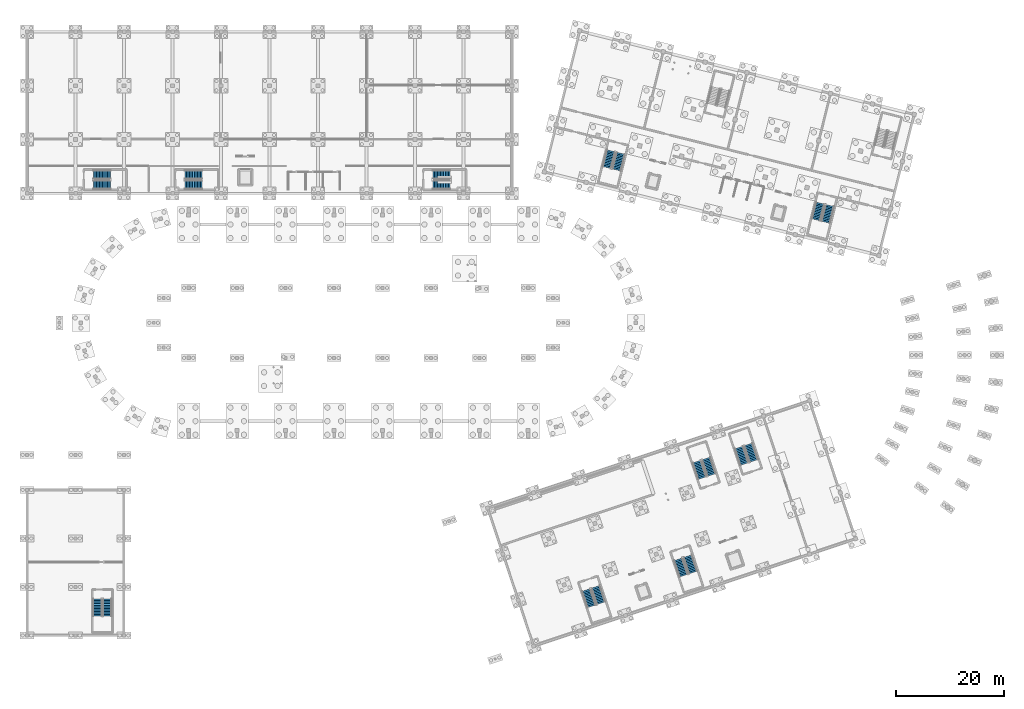
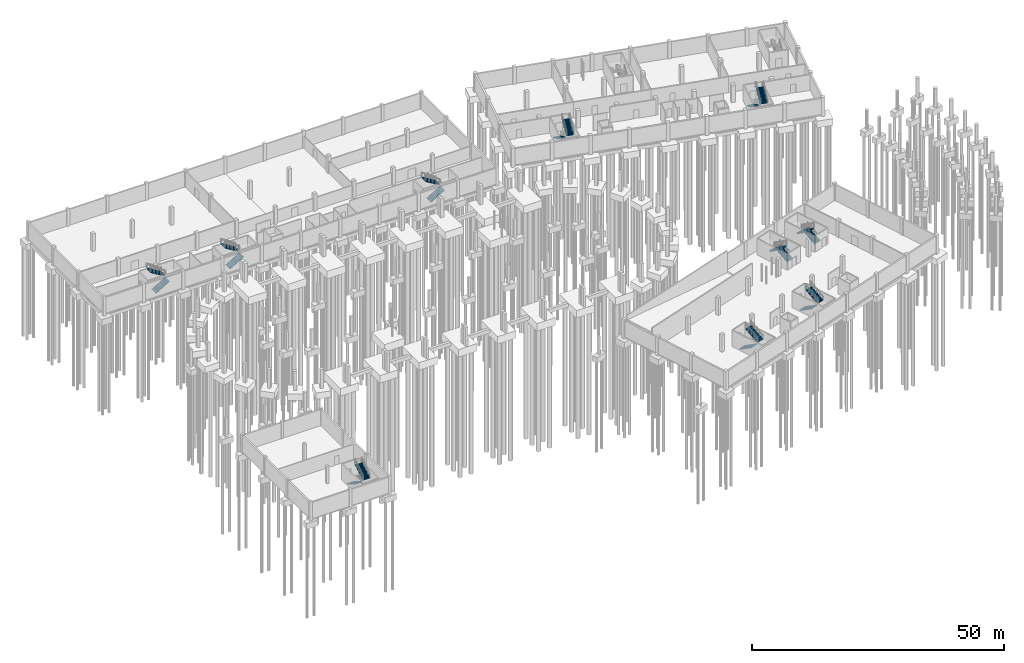
# One storey, part 26 of 36: 20 stair flights, 10 elements without a shape of their own.
"""IFC4 building model written with IfcOpenShell, lengths in metres."""

from ifc_helpers import new_model, si_unit, derived_unit, direction, frame, origin, place, context, subcontext, project, spatial, polyline, outline, extrude, material, type_object, element, aggregate, save


model = new_model("IFC4")

# Units and contexts
model_context = context("Model", 3, precision=1e-05, world=origin(), true_north=direction((0.0, 1.0)))
body_context = subcontext(model_context, "Body", "Model", "MODEL_VIEW")
ifc_project = project(units=[si_unit("LENGTHUNIT", "METRE"), si_unit("AREAUNIT", "SQUARE_METRE"), si_unit("VOLUMEUNIT", "CUBIC_METRE"), si_unit("PLANEANGLEUNIT", "RADIAN"), si_unit("MASSUNIT", "GRAM", prefix="KILO"), si_unit("THERMODYNAMICTEMPERATUREUNIT", "KELVIN"), si_unit("TIMEUNIT", "SECOND"), derived_unit("THERMALTRANSMITTANCEUNIT", [(si_unit("MASSUNIT", "GRAM", prefix="KILO"), 1), (si_unit("THERMODYNAMICTEMPERATUREUNIT", "KELVIN"), -1), (si_unit("TIMEUNIT", "SECOND"), -3)])], contexts=[model_context])

# Site, building, storey
site_placement = place(None, origin())
site = spatial("IfcSite", under=ifc_project, at=site_placement, CompositionType="ELEMENT")
building_placement = place(site_placement, origin())
building = spatial("IfcBuilding", under=site, at=building_placement, Name="Cambertide Market Hall", CompositionType="ELEMENT")
storey_placement = place(building_placement, frame((0.0, 0.0, -4.199951171875)))
storey = spatial("IfcBuildingStorey", under=building, at=storey_placement, Name="B1", CompositionType="ELEMENT", Elevation=-4.199951171875)

# Stair, stair flights
ifc_material_1 = material(Name="Concrete B35", Category="concrete")
stair_type_1 = type_object("IfcStairType", Name="Concrete Dogleg Stair ST-03", PredefinedType="HALF_TURN_STAIR", material=ifc_material_1)
stair_1_placement = place(storey_placement, origin())
stair_1 = element("IfcStair", 1, at=stair_1_placement, inside=storey, type_object=stair_type_1, Name="Basement 1 Exit Stair Core 03", PredefinedType="HALF_TURN_STAIR")
ifc_material_2 = material(Name="Concrete B35", Category="concrete")
stair_flight_type_1 = type_object("IfcStairFlightType", Name="Concrete Stair Flight ST-03", PredefinedType="STRAIGHT", material=ifc_material_2)
stair_flight_1_placement = place(storey_placement, frame((24.300048828125, 97.625, 0.0), z_axis=(0.0, 0.0, 1.0), x_axis=(1.0, 0.0, 0.0)))
stair_flight_1 = element("IfcStairFlight", 2, at=stair_flight_1_placement, type_object=stair_flight_type_1, Name="ST-03 flight 1", NumberOfRisers=12, NumberOfTreads=11, PredefinedType="STRAIGHT", RiserHeight=0.175, TreadLength=0.29, context=body_context, shape_type="SweptSolid", body=[
    extrude(outline(polyline([(0.0, 0.0), (0.0, 0.175048828125), (0.2900390625, 0.175048828125), (0.2900390625, 0.35009765625), (0.580078125, 0.35009765625), (0.580078125, 0.52490234375), (0.8701171875, 0.52490234375), (0.8701171875, 0.699951171875), (1.159912109375, 0.699951171875), (1.159912109375, 0.875), (1.449951171875, 0.875), (1.449951171875, 1.050048828125), (1.739990234375, 1.050048828125), (1.739990234375, 1.22509765625), (2.030029296875, 1.22509765625), (2.030029296875, 1.39990234375), (2.320068359375, 1.39990234375), (2.320068359375, 1.574951171875), (2.610107421875, 1.574951171875), (2.610107421875, 1.75), (2.89990234375, 1.75), (2.89990234375, 1.925048828125), (3.18994140625, 1.925048828125), (3.18994140625, 2.10009765625), (3.18994140625, 1.75), (0.2900390625, 0.0), (0.0, 0.0)])), frame((0.0, 0.824951171875, 0.0), z_axis=(0.0, -1.0, 0.0), x_axis=(1.0, 0.0, 0.0)), (0.0, 0.0, 1.0), 1.64990234375),
])
stair_flight_2_placement = place(storey_placement, frame((27.489990234375, 99.47509765625, 2.099853515625), z_axis=(0.0, 0.0, 1.0), x_axis=(-1.0, 0.0, 0.0)))
stair_flight_2 = element("IfcStairFlight", 3, at=stair_flight_2_placement, type_object=stair_flight_type_1, Name="ST-03 flight 2", NumberOfRisers=12, NumberOfTreads=11, PredefinedType="STRAIGHT", RiserHeight=0.175, TreadLength=0.29, context=body_context, shape_type="SweptSolid", body=[
    extrude(outline(polyline([(0.0, 0.0), (0.0, 0.175048828125), (0.2900390625, 0.175048828125), (0.2900390625, 0.35009765625), (0.580078125, 0.35009765625), (0.580078125, 0.52490234375), (0.8701171875, 0.52490234375), (0.8701171875, 0.699951171875), (1.159912109375, 0.699951171875), (1.159912109375, 0.875), (1.449951171875, 0.875), (1.449951171875, 1.050048828125), (1.739990234375, 1.050048828125), (1.739990234375, 1.22509765625), (2.030029296875, 1.22509765625), (2.030029296875, 1.39990234375), (2.320068359375, 1.39990234375), (2.320068359375, 1.574951171875), (2.610107421875, 1.574951171875), (2.610107421875, 1.75), (2.89990234375, 1.75), (2.89990234375, 1.925048828125), (3.18994140625, 1.925048828125), (3.18994140625, 2.10009765625), (3.18994140625, 1.75), (0.2900390625, 0.0), (0.0, 0.0)])), frame((0.0, 0.824951171875, 0.0), z_axis=(0.0, -1.0, 0.0), x_axis=(1.0, 0.0, 0.0)), (0.0, 0.0, 1.0), 1.64990234375),
])
aggregate(stair_1, [stair_flight_1, stair_flight_2])

ifc_material_3 = material(Name="Concrete B35", Category="concrete")
stair_type_2 = type_object("IfcStairType", Name="Concrete Dogleg Stair ST-03B", PredefinedType="HALF_TURN_STAIR", material=ifc_material_3)
stair_2_placement = place(storey_placement, origin())
stair_2 = element("IfcStair", 4, at=stair_2_placement, inside=storey, type_object=stair_type_2, Name="Basement 1 Exit Stair Core 03B", PredefinedType="HALF_TURN_STAIR")
ifc_material_4 = material(Name="Concrete B35", Category="concrete")
stair_flight_type_2 = type_object("IfcStairFlightType", Name="Concrete Stair Flight ST-03B", PredefinedType="STRAIGHT", material=ifc_material_4)
stair_flight_3_placement = place(storey_placement, frame((41.300048828125, 97.625, 0.0), z_axis=(0.0, 0.0, 1.0), x_axis=(1.0, 0.0, 0.0)))
stair_flight_3 = element("IfcStairFlight", 5, at=stair_flight_3_placement, type_object=stair_flight_type_2, Name="ST-03B flight 1", NumberOfRisers=12, NumberOfTreads=11, PredefinedType="STRAIGHT", RiserHeight=0.175, TreadLength=0.29, context=body_context, shape_type="SweptSolid", body=[
    extrude(outline(polyline([(0.0, 0.0), (0.0, 0.175048828125), (0.2900390625, 0.175048828125), (0.2900390625, 0.35009765625), (0.580078125, 0.35009765625), (0.580078125, 0.52490234375), (0.8701171875, 0.52490234375), (0.8701171875, 0.699951171875), (1.159912109375, 0.699951171875), (1.159912109375, 0.875), (1.449951171875, 0.875), (1.449951171875, 1.050048828125), (1.739990234375, 1.050048828125), (1.739990234375, 1.22509765625), (2.030029296875, 1.22509765625), (2.030029296875, 1.39990234375), (2.320068359375, 1.39990234375), (2.320068359375, 1.574951171875), (2.610107421875, 1.574951171875), (2.610107421875, 1.75), (2.89990234375, 1.75), (2.89990234375, 1.925048828125), (3.18994140625, 1.925048828125), (3.18994140625, 2.10009765625), (3.18994140625, 1.75), (0.2900390625, 0.0), (0.0, 0.0)])), frame((0.0, 0.824951171875, 0.0), z_axis=(0.0, -1.0, 0.0), x_axis=(1.0, 0.0, 0.0)), (0.0, 0.0, 1.0), 1.64990234375),
])
stair_flight_4_placement = place(storey_placement, frame((44.489990234375, 99.47509765625, 2.099853515625), z_axis=(0.0, 0.0, 1.0), x_axis=(-1.0, 0.0, 0.0)))
stair_flight_4 = element("IfcStairFlight", 6, at=stair_flight_4_placement, type_object=stair_flight_type_2, Name="ST-03B flight 2", NumberOfRisers=12, NumberOfTreads=11, PredefinedType="STRAIGHT", RiserHeight=0.175, TreadLength=0.29, context=body_context, shape_type="SweptSolid", body=[
    extrude(outline(polyline([(0.0, 0.0), (0.0, 0.175048828125), (0.2900390625, 0.175048828125), (0.2900390625, 0.35009765625), (0.580078125, 0.35009765625), (0.580078125, 0.52490234375), (0.8701171875, 0.52490234375), (0.8701171875, 0.699951171875), (1.159912109375, 0.699951171875), (1.159912109375, 0.875), (1.449951171875, 0.875), (1.449951171875, 1.050048828125), (1.739990234375, 1.050048828125), (1.739990234375, 1.22509765625), (2.030029296875, 1.22509765625), (2.030029296875, 1.39990234375), (2.320068359375, 1.39990234375), (2.320068359375, 1.574951171875), (2.610107421875, 1.574951171875), (2.610107421875, 1.75), (2.89990234375, 1.75), (2.89990234375, 1.925048828125), (3.18994140625, 1.925048828125), (3.18994140625, 2.10009765625), (3.18994140625, 1.75), (0.2900390625, 0.0), (0.0, 0.0)])), frame((0.0, 0.824951171875, 0.0), z_axis=(0.0, -1.0, 0.0), x_axis=(1.0, 0.0, 0.0)), (0.0, 0.0, 1.0), 1.64990234375),
])
aggregate(stair_2, [stair_flight_3, stair_flight_4])

ifc_material_5 = material(Name="Concrete B35", Category="concrete")
stair_type_3 = type_object("IfcStairType", Name="Concrete Dogleg Stair ST-04", PredefinedType="HALF_TURN_STAIR", material=ifc_material_5)
stair_3_placement = place(storey_placement, origin())
stair_3 = element("IfcStair", 7, at=stair_3_placement, inside=storey, type_object=stair_type_3, Name="Basement 1 Exit Stair Core 04", PredefinedType="HALF_TURN_STAIR")
ifc_material_6 = material(Name="Concrete B35", Category="concrete")
stair_flight_type_3 = type_object("IfcStairFlightType", Name="Concrete Stair Flight ST-04", PredefinedType="STRAIGHT", material=ifc_material_6)
stair_flight_5_placement = place(storey_placement, frame((87.300048828125, 97.625, 0.0), z_axis=(0.0, 0.0, 1.0), x_axis=(1.0, 0.0, 0.0)))
stair_flight_5 = element("IfcStairFlight", 8, at=stair_flight_5_placement, type_object=stair_flight_type_3, Name="ST-04 flight 1", NumberOfRisers=12, NumberOfTreads=11, PredefinedType="STRAIGHT", RiserHeight=0.175, TreadLength=0.29, context=body_context, shape_type="SweptSolid", body=[
    extrude(outline(polyline([(0.0, 0.0), (0.0, 0.175048828125), (0.2900390625, 0.175048828125), (0.2900390625, 0.35009765625), (0.580078125, 0.35009765625), (0.580078125, 0.52490234375), (0.8701171875, 0.52490234375), (0.8701171875, 0.699951171875), (1.159912109375, 0.699951171875), (1.159912109375, 0.875), (1.449951171875, 0.875), (1.449951171875, 1.050048828125), (1.739990234375, 1.050048828125), (1.739990234375, 1.22509765625), (2.030029296875, 1.22509765625), (2.030029296875, 1.39990234375), (2.320068359375, 1.39990234375), (2.320068359375, 1.574951171875), (2.610107421875, 1.574951171875), (2.610107421875, 1.75), (2.89990234375, 1.75), (2.89990234375, 1.925048828125), (3.18994140625, 1.925048828125), (3.18994140625, 2.10009765625), (3.18994140625, 1.75), (0.2900390625, 0.0), (0.0, 0.0)])), frame((0.0, 0.824951171875, 0.0), z_axis=(0.0, -1.0, 0.0), x_axis=(1.0, 0.0, 0.0)), (0.0, 0.0, 1.0), 1.64990234375),
])
stair_flight_6_placement = place(storey_placement, frame((90.489990234375, 99.47509765625, 2.099853515625), z_axis=(0.0, 0.0, 1.0), x_axis=(-1.0, 0.0, 0.0)))
stair_flight_6 = element("IfcStairFlight", 9, at=stair_flight_6_placement, type_object=stair_flight_type_3, Name="ST-04 flight 2", NumberOfRisers=12, NumberOfTreads=11, PredefinedType="STRAIGHT", RiserHeight=0.175, TreadLength=0.29, context=body_context, shape_type="SweptSolid", body=[
    extrude(outline(polyline([(0.0, 0.0), (0.0, 0.175048828125), (0.2900390625, 0.175048828125), (0.2900390625, 0.35009765625), (0.580078125, 0.35009765625), (0.580078125, 0.52490234375), (0.8701171875, 0.52490234375), (0.8701171875, 0.699951171875), (1.159912109375, 0.699951171875), (1.159912109375, 0.875), (1.449951171875, 0.875), (1.449951171875, 1.050048828125), (1.739990234375, 1.050048828125), (1.739990234375, 1.22509765625), (2.030029296875, 1.22509765625), (2.030029296875, 1.39990234375), (2.320068359375, 1.39990234375), (2.320068359375, 1.574951171875), (2.610107421875, 1.574951171875), (2.610107421875, 1.75), (2.89990234375, 1.75), (2.89990234375, 1.925048828125), (3.18994140625, 1.925048828125), (3.18994140625, 2.10009765625), (3.18994140625, 1.75), (0.2900390625, 0.0), (0.0, 0.0)])), frame((0.0, 0.824951171875, 0.0), z_axis=(0.0, -1.0, 0.0), x_axis=(1.0, 0.0, 0.0)), (0.0, 0.0, 1.0), 1.64990234375),
])
aggregate(stair_3, [stair_flight_5, stair_flight_6])

ifc_material_7 = material(Name="Concrete B35", Category="concrete")
stair_type_4 = type_object("IfcStairType", Name="Concrete Dogleg Stair ST-04B", PredefinedType="HALF_TURN_STAIR", material=ifc_material_7)
stair_4_placement = place(storey_placement, origin())
stair_4 = element("IfcStair", 10, at=stair_4_placement, inside=storey, type_object=stair_type_4, Name="Basement 1 Southwest Specialty Wing Exit Stair", PredefinedType="HALF_TURN_STAIR")
ifc_material_8 = material(Name="Concrete B35", Category="concrete")
stair_flight_type_4 = type_object("IfcStairFlightType", Name="Concrete Stair Flight ST-04B", PredefinedType="STRAIGHT", material=ifc_material_8)
stair_flight_7_placement = place(storey_placement, frame((25.074951171875, 20.75, 0.0), z_axis=(0.0, 0.0, 1.0), x_axis=(0.0, -1.0, 0.0)))
stair_flight_7 = element("IfcStairFlight", 11, at=stair_flight_7_placement, type_object=stair_flight_type_4, Name="ST-04B flight 1", NumberOfRisers=12, NumberOfTreads=11, PredefinedType="STRAIGHT", RiserHeight=0.175, TreadLength=0.29, context=body_context, shape_type="SweptSolid", body=[
    extrude(outline(polyline([(0.0, 0.0), (0.0, 0.175048828125), (0.2900390625, 0.175048828125), (0.2900390625, 0.35009765625), (0.580078125, 0.35009765625), (0.580078125, 0.52490234375), (0.8701171875, 0.52490234375), (0.8701171875, 0.699951171875), (1.159912109375, 0.699951171875), (1.159912109375, 0.875), (1.449951171875, 0.875), (1.449951171875, 1.050048828125), (1.739990234375, 1.050048828125), (1.739990234375, 1.22509765625), (2.030029296875, 1.22509765625), (2.030029296875, 1.39990234375), (2.320068359375, 1.39990234375), (2.320068359375, 1.574951171875), (2.610107421875, 1.574951171875), (2.610107421875, 1.75), (2.89990234375, 1.75), (2.89990234375, 1.925048828125), (3.18994140625, 1.925048828125), (3.18994140625, 2.10009765625), (3.18994140625, 1.75), (0.2900390625, 0.0), (0.0, 0.0)])), frame((0.0, 0.824951171875, 0.0), z_axis=(0.0, -1.0, 0.0), x_axis=(1.0, 0.0, 0.0)), (0.0, 0.0, 1.0), 1.64990234375),
])
stair_flight_8_placement = place(storey_placement, frame((26.925048828125, 17.56005859375, 2.099853515625), z_axis=(0.0, 0.0, 1.0), x_axis=(0.0, 1.0, 0.0)))
stair_flight_8 = element("IfcStairFlight", 12, at=stair_flight_8_placement, type_object=stair_flight_type_4, Name="ST-04B flight 2", NumberOfRisers=12, NumberOfTreads=11, PredefinedType="STRAIGHT", RiserHeight=0.175, TreadLength=0.29, context=body_context, shape_type="SweptSolid", body=[
    extrude(outline(polyline([(0.0, 0.0), (0.0, 0.175048828125), (0.2900390625, 0.175048828125), (0.2900390625, 0.35009765625), (0.580078125, 0.35009765625), (0.580078125, 0.52490234375), (0.8701171875, 0.52490234375), (0.8701171875, 0.699951171875), (1.159912109375, 0.699951171875), (1.159912109375, 0.875), (1.449951171875, 0.875), (1.449951171875, 1.050048828125), (1.739990234375, 1.050048828125), (1.739990234375, 1.22509765625), (2.030029296875, 1.22509765625), (2.030029296875, 1.39990234375), (2.320068359375, 1.39990234375), (2.320068359375, 1.574951171875), (2.610107421875, 1.574951171875), (2.610107421875, 1.75), (2.89990234375, 1.75), (2.89990234375, 1.925048828125), (3.18994140625, 1.925048828125), (3.18994140625, 2.10009765625), (3.18994140625, 1.75), (0.2900390625, 0.0), (0.0, 0.0)])), frame((0.0, 0.824951171875, 0.0), z_axis=(0.0, -1.0, 0.0), x_axis=(1.0, 0.0, 0.0)), (0.0, 0.0, 1.0), 1.64990234375),
])
aggregate(stair_4, [stair_flight_7, stair_flight_8])

ifc_material_9 = material(Name="Concrete B35", Category="concrete")
stair_type_5 = type_object("IfcStairType", Name="Concrete Dogleg Stair ST-05A", PredefinedType="HALF_TURN_STAIR", material=ifc_material_9)
stair_5_placement = place(storey_placement, origin())
stair_5 = element("IfcStair", 13, at=stair_5_placement, inside=storey, type_object=stair_type_5, Name="Basement 1 Exit Stair Core 05A", PredefinedType="HALF_TURN_STAIR")
ifc_material_10 = material(Name="Concrete B35", Category="concrete")
stair_flight_type_5 = type_object("IfcStairFlightType", Name="Concrete Stair Flight ST-05A", PredefinedType="STRAIGHT", material=ifc_material_10)
stair_flight_9_placement = place(storey_placement, frame((115.779296875, 22.427490234375, 0.0), z_axis=(0.0, 0.0, 1.0), x_axis=(0.316227768949, -0.948683297073, 0.0)))
stair_flight_9 = element("IfcStairFlight", 14, at=stair_flight_9_placement, type_object=stair_flight_type_5, Name="ST-05A flight 1", NumberOfRisers=12, NumberOfTreads=11, PredefinedType="STRAIGHT", RiserHeight=0.175, TreadLength=0.29, context=body_context, shape_type="SweptSolid", body=[
    extrude(outline(polyline([(0.0, 0.0), (0.0, 0.175048828125), (0.2900390625, 0.175048828125), (0.2900390625, 0.35009765625), (0.580078125, 0.35009765625), (0.580078125, 0.52490234375), (0.8701171875, 0.52490234375), (0.8701171875, 0.699951171875), (1.159912109375, 0.699951171875), (1.159912109375, 0.875), (1.449951171875, 0.875), (1.449951171875, 1.050048828125), (1.739990234375, 1.050048828125), (1.739990234375, 1.22509765625), (2.030029296875, 1.22509765625), (2.030029296875, 1.39990234375), (2.320068359375, 1.39990234375), (2.320068359375, 1.574951171875), (2.610107421875, 1.574951171875), (2.610107421875, 1.75), (2.89990234375, 1.75), (2.89990234375, 1.925048828125), (3.18994140625, 1.925048828125), (3.18994140625, 2.10009765625), (3.18994140625, 1.75), (0.2900390625, 0.0), (0.0, 0.0)])), frame((0.0, 0.824951171875, 0.0), z_axis=(0.0, -1.0, 0.0), x_axis=(1.0, 0.0, 0.0)), (0.0, 0.0, 1.0), 1.64990234375),
])
stair_flight_10_placement = place(storey_placement, frame((118.543212890625, 19.986328125, 2.099853515625), z_axis=(0.0, 0.0, 1.0), x_axis=(-0.316227768949, 0.948683297073, 0.0)))
stair_flight_10 = element("IfcStairFlight", 15, at=stair_flight_10_placement, type_object=stair_flight_type_5, Name="ST-05A flight 2", NumberOfRisers=12, NumberOfTreads=11, PredefinedType="STRAIGHT", RiserHeight=0.175, TreadLength=0.29, context=body_context, shape_type="SweptSolid", body=[
    extrude(outline(polyline([(0.0, 0.0), (0.0, 0.175048828125), (0.2900390625, 0.175048828125), (0.2900390625, 0.35009765625), (0.580078125, 0.35009765625), (0.580078125, 0.52490234375), (0.8701171875, 0.52490234375), (0.8701171875, 0.699951171875), (1.159912109375, 0.699951171875), (1.159912109375, 0.875), (1.449951171875, 0.875), (1.449951171875, 1.050048828125), (1.739990234375, 1.050048828125), (1.739990234375, 1.22509765625), (2.030029296875, 1.22509765625), (2.030029296875, 1.39990234375), (2.320068359375, 1.39990234375), (2.320068359375, 1.574951171875), (2.610107421875, 1.574951171875), (2.610107421875, 1.75), (2.89990234375, 1.75), (2.89990234375, 1.925048828125), (3.18994140625, 1.925048828125), (3.18994140625, 2.10009765625), (3.18994140625, 1.75), (0.2900390625, 0.0), (0.0, 0.0)])), frame((0.0, 0.824951171875, 0.0), z_axis=(0.0, -1.0, 0.0), x_axis=(1.0, 0.0, 0.0)), (0.0, 0.0, 1.0), 1.64990234375),
])
aggregate(stair_5, [stair_flight_9, stair_flight_10])

ifc_material_11 = material(Name="Concrete B35", Category="concrete")
stair_type_6 = type_object("IfcStairType", Name="Concrete Dogleg Stair ST-05B", PredefinedType="HALF_TURN_STAIR", material=ifc_material_11)
stair_6_placement = place(storey_placement, origin())
stair_6 = element("IfcStair", 16, at=stair_6_placement, inside=storey, type_object=stair_type_6, Name="Basement 1 Exit Stair Core 05B", PredefinedType="HALF_TURN_STAIR")
ifc_material_12 = material(Name="Concrete B35", Category="concrete")
stair_flight_type_6 = type_object("IfcStairFlightType", Name="Concrete Stair Flight ST-05B", PredefinedType="STRAIGHT", material=ifc_material_12)
stair_flight_11_placement = place(storey_placement, frame((146.896240234375, 46.397705078125, 0.0), z_axis=(0.0, 0.0, 1.0), x_axis=(-0.316227768949, 0.948683297073, 0.0)))
stair_flight_11 = element("IfcStairFlight", 17, at=stair_flight_11_placement, type_object=stair_flight_type_6, Name="ST-05B flight 1", NumberOfRisers=12, NumberOfTreads=11, PredefinedType="STRAIGHT", RiserHeight=0.175, TreadLength=0.29, context=body_context, shape_type="SweptSolid", body=[
    extrude(outline(polyline([(0.0, 0.0), (0.0, 0.175048828125), (0.2900390625, 0.175048828125), (0.2900390625, 0.35009765625), (0.580078125, 0.35009765625), (0.580078125, 0.52490234375), (0.8701171875, 0.52490234375), (0.8701171875, 0.699951171875), (1.159912109375, 0.699951171875), (1.159912109375, 0.875), (1.449951171875, 0.875), (1.449951171875, 1.050048828125), (1.739990234375, 1.050048828125), (1.739990234375, 1.22509765625), (2.030029296875, 1.22509765625), (2.030029296875, 1.39990234375), (2.320068359375, 1.39990234375), (2.320068359375, 1.574951171875), (2.610107421875, 1.574951171875), (2.610107421875, 1.75), (2.89990234375, 1.75), (2.89990234375, 1.925048828125), (3.18994140625, 1.925048828125), (3.18994140625, 2.10009765625), (3.18994140625, 1.75), (0.2900390625, 0.0), (0.0, 0.0)])), frame((0.0, 0.824951171875, 0.0), z_axis=(0.0, -1.0, 0.0), x_axis=(1.0, 0.0, 0.0)), (0.0, 0.0, 1.0), 1.64990234375),
])
stair_flight_12_placement = place(storey_placement, frame((144.13232421875, 48.8388671875, 2.099853515625), z_axis=(0.0, 0.0, 1.0), x_axis=(0.316227768949, -0.948683297073, 0.0)))
stair_flight_12 = element("IfcStairFlight", 18, at=stair_flight_12_placement, type_object=stair_flight_type_6, Name="ST-05B flight 2", NumberOfRisers=12, NumberOfTreads=11, PredefinedType="STRAIGHT", RiserHeight=0.175, TreadLength=0.29, context=body_context, shape_type="SweptSolid", body=[
    extrude(outline(polyline([(0.0, 0.0), (0.0, 0.175048828125), (0.2900390625, 0.175048828125), (0.2900390625, 0.35009765625), (0.580078125, 0.35009765625), (0.580078125, 0.52490234375), (0.8701171875, 0.52490234375), (0.8701171875, 0.699951171875), (1.159912109375, 0.699951171875), (1.159912109375, 0.875), (1.449951171875, 0.875), (1.449951171875, 1.050048828125), (1.739990234375, 1.050048828125), (1.739990234375, 1.22509765625), (2.030029296875, 1.22509765625), (2.030029296875, 1.39990234375), (2.320068359375, 1.39990234375), (2.320068359375, 1.574951171875), (2.610107421875, 1.574951171875), (2.610107421875, 1.75), (2.89990234375, 1.75), (2.89990234375, 1.925048828125), (3.18994140625, 1.925048828125), (3.18994140625, 2.10009765625), (3.18994140625, 1.75), (0.2900390625, 0.0), (0.0, 0.0)])), frame((0.0, 0.824951171875, 0.0), z_axis=(0.0, -1.0, 0.0), x_axis=(1.0, 0.0, 0.0)), (0.0, 0.0, 1.0), 1.64990234375),
])
aggregate(stair_6, [stair_flight_11, stair_flight_12])

ifc_material_13 = material(Name="Concrete B35", Category="concrete")
stair_type_7 = type_object("IfcStairType", Name="Concrete Dogleg Stair ST-06A", PredefinedType="HALF_TURN_STAIR", material=ifc_material_13)
stair_7_placement = place(storey_placement, origin())
stair_7 = element("IfcStair", 19, at=stair_7_placement, inside=storey, type_object=stair_type_7, Name="Basement 1 Exit Stair Core 06A", PredefinedType="HALF_TURN_STAIR")
ifc_material_14 = material(Name="Concrete B35", Category="concrete")
stair_flight_type_7 = type_object("IfcStairFlightType", Name="Concrete Stair Flight ST-06A", PredefinedType="STRAIGHT", material=ifc_material_14)
stair_flight_13_placement = place(storey_placement, frame((132.855712890625, 28.11962890625, 0.0), z_axis=(0.0, 0.0, 1.0), x_axis=(0.316227768949, -0.948683297073, 0.0)))
stair_flight_13 = element("IfcStairFlight", 20, at=stair_flight_13_placement, type_object=stair_flight_type_7, Name="ST-06A flight 1", NumberOfRisers=12, NumberOfTreads=11, PredefinedType="STRAIGHT", RiserHeight=0.175, TreadLength=0.29, context=body_context, shape_type="SweptSolid", body=[
    extrude(outline(polyline([(0.0, 0.0), (0.0, 0.175048828125), (0.2900390625, 0.175048828125), (0.2900390625, 0.35009765625), (0.580078125, 0.35009765625), (0.580078125, 0.52490234375), (0.8701171875, 0.52490234375), (0.8701171875, 0.699951171875), (1.159912109375, 0.699951171875), (1.159912109375, 0.875), (1.449951171875, 0.875), (1.449951171875, 1.050048828125), (1.739990234375, 1.050048828125), (1.739990234375, 1.22509765625), (2.030029296875, 1.22509765625), (2.030029296875, 1.39990234375), (2.320068359375, 1.39990234375), (2.320068359375, 1.574951171875), (2.610107421875, 1.574951171875), (2.610107421875, 1.75), (2.89990234375, 1.75), (2.89990234375, 1.925048828125), (3.18994140625, 1.925048828125), (3.18994140625, 2.10009765625), (3.18994140625, 1.75), (0.2900390625, 0.0), (0.0, 0.0)])), frame((0.0, 0.824951171875, 0.0), z_axis=(0.0, -1.0, 0.0), x_axis=(1.0, 0.0, 0.0)), (0.0, 0.0, 1.0), 1.64990234375),
])
stair_flight_14_placement = place(storey_placement, frame((135.619384765625, 25.678466796875, 2.099853515625), z_axis=(0.0, 0.0, 1.0), x_axis=(-0.316227768949, 0.948683297073, 0.0)))
stair_flight_14 = element("IfcStairFlight", 21, at=stair_flight_14_placement, type_object=stair_flight_type_7, Name="ST-06A flight 2", NumberOfRisers=12, NumberOfTreads=11, PredefinedType="STRAIGHT", RiserHeight=0.175, TreadLength=0.29, context=body_context, shape_type="SweptSolid", body=[
    extrude(outline(polyline([(0.0, 0.0), (0.0, 0.175048828125), (0.2900390625, 0.175048828125), (0.2900390625, 0.35009765625), (0.580078125, 0.35009765625), (0.580078125, 0.52490234375), (0.8701171875, 0.52490234375), (0.8701171875, 0.699951171875), (1.159912109375, 0.699951171875), (1.159912109375, 0.875), (1.449951171875, 0.875), (1.449951171875, 1.050048828125), (1.739990234375, 1.050048828125), (1.739990234375, 1.22509765625), (2.030029296875, 1.22509765625), (2.030029296875, 1.39990234375), (2.320068359375, 1.39990234375), (2.320068359375, 1.574951171875), (2.610107421875, 1.574951171875), (2.610107421875, 1.75), (2.89990234375, 1.75), (2.89990234375, 1.925048828125), (3.18994140625, 1.925048828125), (3.18994140625, 2.10009765625), (3.18994140625, 1.75), (0.2900390625, 0.0), (0.0, 0.0)])), frame((0.0, 0.824951171875, 0.0), z_axis=(0.0, -1.0, 0.0), x_axis=(1.0, 0.0, 0.0)), (0.0, 0.0, 1.0), 1.64990234375),
])
aggregate(stair_7, [stair_flight_13, stair_flight_14])

ifc_material_15 = material(Name="Concrete B35", Category="concrete")
stair_type_8 = type_object("IfcStairType", Name="Concrete Dogleg Stair ST-06B", PredefinedType="HALF_TURN_STAIR", material=ifc_material_15)
stair_8_placement = place(storey_placement, origin())
stair_8 = element("IfcStair", 22, at=stair_8_placement, inside=storey, type_object=stair_type_8, Name="Basement 1 Exit Stair Core 06B", PredefinedType="HALF_TURN_STAIR")
ifc_material_16 = material(Name="Concrete B35", Category="concrete")
stair_flight_type_8 = type_object("IfcStairFlightType", Name="Concrete Stair Flight ST-06B", PredefinedType="STRAIGHT", material=ifc_material_16)
stair_flight_15_placement = place(storey_placement, frame((139.069580078125, 43.788818359375, 0.0), z_axis=(0.0, 0.0, 1.0), x_axis=(-0.316227768949, 0.948683297073, 0.0)))
stair_flight_15 = element("IfcStairFlight", 23, at=stair_flight_15_placement, type_object=stair_flight_type_8, Name="ST-06B flight 1", NumberOfRisers=12, NumberOfTreads=11, PredefinedType="STRAIGHT", RiserHeight=0.175, TreadLength=0.29, context=body_context, shape_type="SweptSolid", body=[
    extrude(outline(polyline([(0.0, 0.0), (0.0, 0.175048828125), (0.2900390625, 0.175048828125), (0.2900390625, 0.35009765625), (0.580078125, 0.35009765625), (0.580078125, 0.52490234375), (0.8701171875, 0.52490234375), (0.8701171875, 0.699951171875), (1.159912109375, 0.699951171875), (1.159912109375, 0.875), (1.449951171875, 0.875), (1.449951171875, 1.050048828125), (1.739990234375, 1.050048828125), (1.739990234375, 1.22509765625), (2.030029296875, 1.22509765625), (2.030029296875, 1.39990234375), (2.320068359375, 1.39990234375), (2.320068359375, 1.574951171875), (2.610107421875, 1.574951171875), (2.610107421875, 1.75), (2.89990234375, 1.75), (2.89990234375, 1.925048828125), (3.18994140625, 1.925048828125), (3.18994140625, 2.10009765625), (3.18994140625, 1.75), (0.2900390625, 0.0), (0.0, 0.0)])), frame((0.0, 0.824951171875, 0.0), z_axis=(0.0, -1.0, 0.0), x_axis=(1.0, 0.0, 0.0)), (0.0, 0.0, 1.0), 1.64990234375),
])
stair_flight_16_placement = place(storey_placement, frame((136.3056640625, 46.22998046875, 2.099853515625), z_axis=(0.0, 0.0, 1.0), x_axis=(0.316227768949, -0.948683297073, 0.0)))
stair_flight_16 = element("IfcStairFlight", 24, at=stair_flight_16_placement, type_object=stair_flight_type_8, Name="ST-06B flight 2", NumberOfRisers=12, NumberOfTreads=11, PredefinedType="STRAIGHT", RiserHeight=0.175, TreadLength=0.29, context=body_context, shape_type="SweptSolid", body=[
    extrude(outline(polyline([(0.0, 0.0), (0.0, 0.175048828125), (0.2900390625, 0.175048828125), (0.2900390625, 0.35009765625), (0.580078125, 0.35009765625), (0.580078125, 0.52490234375), (0.8701171875, 0.52490234375), (0.8701171875, 0.699951171875), (1.159912109375, 0.699951171875), (1.159912109375, 0.875), (1.449951171875, 0.875), (1.449951171875, 1.050048828125), (1.739990234375, 1.050048828125), (1.739990234375, 1.22509765625), (2.030029296875, 1.22509765625), (2.030029296875, 1.39990234375), (2.320068359375, 1.39990234375), (2.320068359375, 1.574951171875), (2.610107421875, 1.574951171875), (2.610107421875, 1.75), (2.89990234375, 1.75), (2.89990234375, 1.925048828125), (3.18994140625, 1.925048828125), (3.18994140625, 2.10009765625), (3.18994140625, 1.75), (0.2900390625, 0.0), (0.0, 0.0)])), frame((0.0, 0.824951171875, 0.0), z_axis=(0.0, -1.0, 0.0), x_axis=(1.0, 0.0, 0.0)), (0.0, 0.0, 1.0), 1.64990234375),
])
aggregate(stair_8, [stair_flight_15, stair_flight_16])

ifc_material_17 = material(Name="Concrete B35", Category="concrete")
stair_type_9 = type_object("IfcStairType", Name="Concrete Dogleg Stair ST-07A", PredefinedType="HALF_TURN_STAIR", material=ifc_material_17)
stair_9_placement = place(storey_placement, origin())
stair_9 = element("IfcStair", 25, at=stair_9_placement, inside=storey, type_object=stair_type_9, Name="Basement 1 Exit Stair Core 07A", PredefinedType="HALF_TURN_STAIR")
ifc_material_18 = material(Name="Concrete B35", Category="concrete")
stair_flight_type_9 = type_object("IfcStairFlightType", Name="Concrete Stair Flight ST-07A", PredefinedType="STRAIGHT", material=ifc_material_18)
stair_flight_17_placement = place(storey_placement, frame((120.3935546875, 103.910888671875, 0.0), z_axis=(0.0, 0.0, 1.0), x_axis=(-0.242535617113, -0.970142502126, 0.0)))
stair_flight_17 = element("IfcStairFlight", 26, at=stair_flight_17_placement, type_object=stair_flight_type_9, Name="ST-07A flight 1", NumberOfRisers=12, NumberOfTreads=11, PredefinedType="STRAIGHT", RiserHeight=0.175, TreadLength=0.29, context=body_context, shape_type="SweptSolid", body=[
    extrude(outline(polyline([(0.0, 0.0), (0.0, 0.175048828125), (0.2900390625, 0.175048828125), (0.2900390625, 0.35009765625), (0.580078125, 0.35009765625), (0.580078125, 0.52490234375), (0.8701171875, 0.52490234375), (0.8701171875, 0.699951171875), (1.159912109375, 0.699951171875), (1.159912109375, 0.875), (1.449951171875, 0.875), (1.449951171875, 1.050048828125), (1.739990234375, 1.050048828125), (1.739990234375, 1.22509765625), (2.030029296875, 1.22509765625), (2.030029296875, 1.39990234375), (2.320068359375, 1.39990234375), (2.320068359375, 1.574951171875), (2.610107421875, 1.574951171875), (2.610107421875, 1.75), (2.89990234375, 1.75), (2.89990234375, 1.925048828125), (3.18994140625, 1.925048828125), (3.18994140625, 2.10009765625), (3.18994140625, 1.75), (0.2900390625, 0.0), (0.0, 0.0)])), frame((0.0, 0.824951171875, 0.0), z_axis=(0.0, -1.0, 0.0), x_axis=(1.0, 0.0, 0.0)), (0.0, 0.0, 1.0), 1.64990234375),
])
stair_flight_18_placement = place(storey_placement, frame((121.41455078125, 100.367431640625, 2.099853515625), z_axis=(0.0, 0.0, 1.0), x_axis=(0.242535617113, 0.970142502126, 0.0)))
stair_flight_18 = element("IfcStairFlight", 27, at=stair_flight_18_placement, type_object=stair_flight_type_9, Name="ST-07A flight 2", NumberOfRisers=12, NumberOfTreads=11, PredefinedType="STRAIGHT", RiserHeight=0.175, TreadLength=0.29, context=body_context, shape_type="SweptSolid", body=[
    extrude(outline(polyline([(0.0, 0.0), (0.0, 0.175048828125), (0.2900390625, 0.175048828125), (0.2900390625, 0.35009765625), (0.580078125, 0.35009765625), (0.580078125, 0.52490234375), (0.8701171875, 0.52490234375), (0.8701171875, 0.699951171875), (1.159912109375, 0.699951171875), (1.159912109375, 0.875), (1.449951171875, 0.875), (1.449951171875, 1.050048828125), (1.739990234375, 1.050048828125), (1.739990234375, 1.22509765625), (2.030029296875, 1.22509765625), (2.030029296875, 1.39990234375), (2.320068359375, 1.39990234375), (2.320068359375, 1.574951171875), (2.610107421875, 1.574951171875), (2.610107421875, 1.75), (2.89990234375, 1.75), (2.89990234375, 1.925048828125), (3.18994140625, 1.925048828125), (3.18994140625, 2.10009765625), (3.18994140625, 1.75), (0.2900390625, 0.0), (0.0, 0.0)])), frame((0.0, 0.824951171875, 0.0), z_axis=(0.0, -1.0, 0.0), x_axis=(1.0, 0.0, 0.0)), (0.0, 0.0, 1.0), 1.64990234375),
])
aggregate(stair_9, [stair_flight_17, stair_flight_18])

ifc_material_19 = material(Name="Concrete B35", Category="concrete")
stair_type_10 = type_object("IfcStairType", Name="Concrete Dogleg Stair ST-08A", PredefinedType="HALF_TURN_STAIR", material=ifc_material_19)
stair_10_placement = place(storey_placement, origin())
stair_10 = element("IfcStair", 28, at=stair_10_placement, inside=storey, type_object=stair_type_10, Name="Basement 1 Exit Stair Core 08A", PredefinedType="HALF_TURN_STAIR")
ifc_material_20 = material(Name="Concrete B35", Category="concrete")
stair_flight_type_10 = type_object("IfcStairFlightType", Name="Concrete Stair Flight ST-08A", PredefinedType="STRAIGHT", material=ifc_material_20)
stair_flight_19_placement = place(storey_placement, frame((159.19921875, 94.20947265625, 0.0), z_axis=(0.0, 0.0, 1.0), x_axis=(-0.242535617113, -0.970142502126, 0.0)))
stair_flight_19 = element("IfcStairFlight", 29, at=stair_flight_19_placement, type_object=stair_flight_type_10, Name="ST-08A flight 1", NumberOfRisers=12, NumberOfTreads=11, PredefinedType="STRAIGHT", RiserHeight=0.175, TreadLength=0.29, context=body_context, shape_type="SweptSolid", body=[
    extrude(outline(polyline([(0.0, 0.0), (0.0, 0.175048828125), (0.2900390625, 0.175048828125), (0.2900390625, 0.35009765625), (0.580078125, 0.35009765625), (0.580078125, 0.52490234375), (0.8701171875, 0.52490234375), (0.8701171875, 0.699951171875), (1.159912109375, 0.699951171875), (1.159912109375, 0.875), (1.449951171875, 0.875), (1.449951171875, 1.050048828125), (1.739990234375, 1.050048828125), (1.739990234375, 1.22509765625), (2.030029296875, 1.22509765625), (2.030029296875, 1.39990234375), (2.320068359375, 1.39990234375), (2.320068359375, 1.574951171875), (2.610107421875, 1.574951171875), (2.610107421875, 1.75), (2.89990234375, 1.75), (2.89990234375, 1.925048828125), (3.18994140625, 1.925048828125), (3.18994140625, 2.10009765625), (3.18994140625, 1.75), (0.2900390625, 0.0), (0.0, 0.0)])), frame((0.0, 0.824951171875, 0.0), z_axis=(0.0, -1.0, 0.0), x_axis=(1.0, 0.0, 0.0)), (0.0, 0.0, 1.0), 1.64990234375),
])
stair_flight_20_placement = place(storey_placement, frame((160.220458984375, 90.666015625, 2.099853515625), z_axis=(0.0, 0.0, 1.0), x_axis=(0.242535617113, 0.970142502126, 0.0)))
stair_flight_20 = element("IfcStairFlight", 30, at=stair_flight_20_placement, type_object=stair_flight_type_10, Name="ST-08A flight 2", NumberOfRisers=12, NumberOfTreads=11, PredefinedType="STRAIGHT", RiserHeight=0.175, TreadLength=0.29, context=body_context, shape_type="SweptSolid", body=[
    extrude(outline(polyline([(0.0, 0.0), (0.0, 0.175048828125), (0.2900390625, 0.175048828125), (0.2900390625, 0.35009765625), (0.580078125, 0.35009765625), (0.580078125, 0.52490234375), (0.8701171875, 0.52490234375), (0.8701171875, 0.699951171875), (1.159912109375, 0.699951171875), (1.159912109375, 0.875), (1.449951171875, 0.875), (1.449951171875, 1.050048828125), (1.739990234375, 1.050048828125), (1.739990234375, 1.22509765625), (2.030029296875, 1.22509765625), (2.030029296875, 1.39990234375), (2.320068359375, 1.39990234375), (2.320068359375, 1.574951171875), (2.610107421875, 1.574951171875), (2.610107421875, 1.75), (2.89990234375, 1.75), (2.89990234375, 1.925048828125), (3.18994140625, 1.925048828125), (3.18994140625, 2.10009765625), (3.18994140625, 1.75), (0.2900390625, 0.0), (0.0, 0.0)])), frame((0.0, 0.824951171875, 0.0), z_axis=(0.0, -1.0, 0.0), x_axis=(1.0, 0.0, 0.0)), (0.0, 0.0, 1.0), 1.64990234375),
])
aggregate(stair_10, [stair_flight_19, stair_flight_20])

save(model, "model.ifc")
